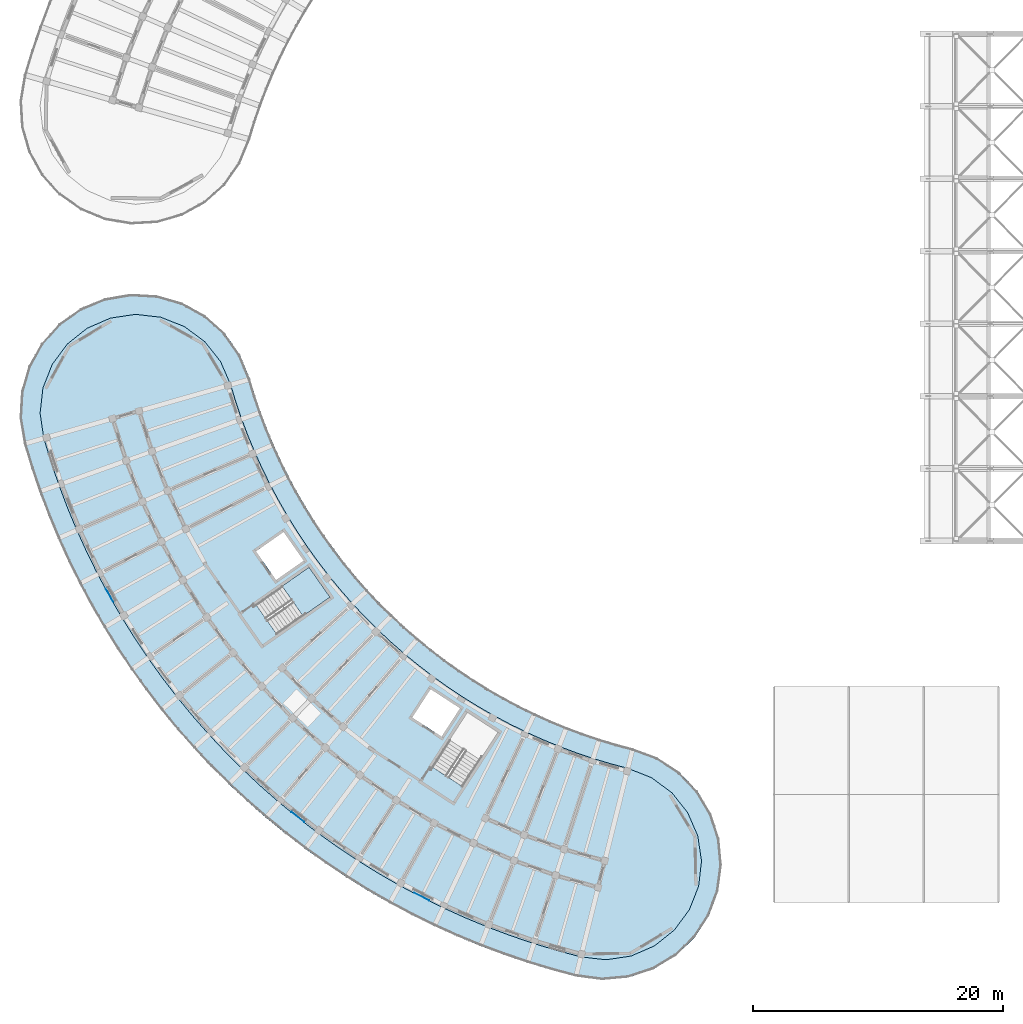
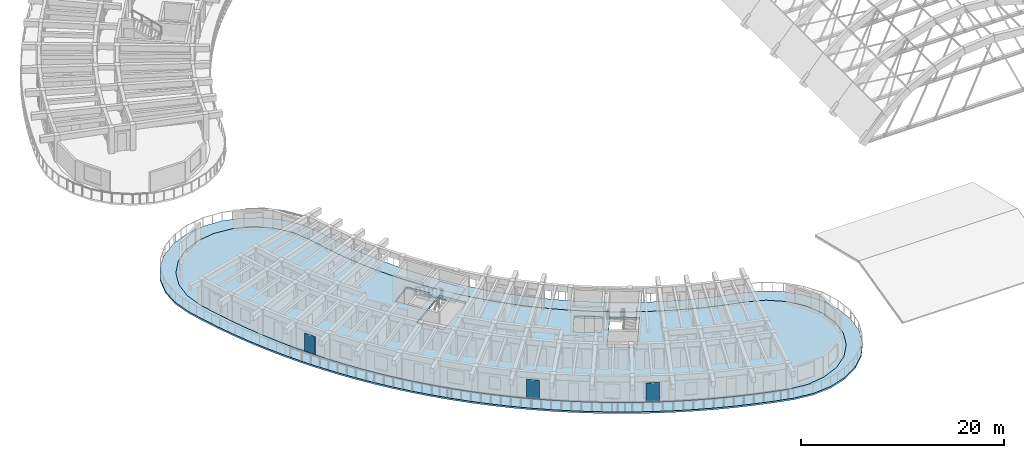
# One storey, part 23 of 81: 3 plates, 3 slabs, 1 element without a shape of its own.
"""IFC4 building model written with IfcOpenShell, lengths in metres."""

from ifc_helpers import new_model, si_unit, direction, frame, origin, origin_2d, place, context, subcontext, project, spatial, polyline, rectangle, outline, extrude, material, layer, layer_set, type_object, element, aggregate, save


model = new_model("IFC4")

# Units and contexts
model_context = context("Model", 3, precision=1e-05, world=origin(), true_north=direction((0.0, 1.0)))
body_context = subcontext(model_context, "Body", "Model", "MODEL_VIEW")
ifc_project = project(units=[si_unit("LENGTHUNIT", "METRE"), si_unit("AREAUNIT", "SQUARE_METRE"), si_unit("VOLUMEUNIT", "CUBIC_METRE"), si_unit("PLANEANGLEUNIT", "RADIAN"), si_unit("MASSUNIT", "GRAM", prefix="KILO")], contexts=[model_context])

# Site, building, storey
site_placement = place(None, origin())
site = spatial("IfcSite", under=ifc_project, at=site_placement, CompositionType="ELEMENT")
building_placement = place(site_placement, origin())
building = spatial("IfcBuilding", under=site, at=building_placement, Name="Tanwirah Colonnade Gardens", CompositionType="ELEMENT")
storey_placement = place(building_placement, frame((0.0, 0.0, 8.840087890625)))
storey = spatial("IfcBuildingStorey", under=building, at=storey_placement, Name="L02", CompositionType="ELEMENT", Elevation=8.840087890625)

# Plates
ifc_material_1 = material(Name="Laser-cut bronze aluminium solar screen plate", Category="aluminium")
ifc_layer_1 = layer(ifc_material_1, 0.01611328125)
ifc_layer_set_1 = layer_set([ifc_layer_1], Name="Laser-cut bronze aluminium solar screen plate")
plate_type = type_object("IfcPlateType", Name="PLT-SCR16", PredefinedType="SHEET", material=ifc_layer_set_1)
plate_1_placement = place(storey_placement, frame((12.79541015625, 35.465087890625, 0.0), z_axis=(0.0, 0.0, 1.0), x_axis=(0.486717384336, -0.873559492985, 0.0)))
element("IfcPlate", 1, at=plate_1_placement, inside=storey, type_object=plate_type, Name="Perforated solar screen plate C-L02-03", PredefinedType="SHEET", context=body_context, shape_type="SweptSolid", body=[
    extrude(rectangle(XDim=1.199951171875, YDim=0.01611328125, at=origin_2d()), origin(), (0.0, 0.0, 1.0), 2.159912109375),
])
plate_2_placement = place(storey_placement, frame((27.880615234375, 17.697265625, 0.0), z_axis=(0.0, 0.0, 1.0), x_axis=(0.783964634348, -0.620805486519, 0.0)))
element("IfcPlate", 2, at=plate_2_placement, inside=storey, type_object=plate_type, Name="Perforated solar screen plate C-L02-09", PredefinedType="SHEET", context=body_context, shape_type="SweptSolid", body=[
    extrude(rectangle(XDim=1.300048828125, YDim=0.01611328125, at=origin_2d()), origin(), (0.0, 0.0, 1.0), 2.25),
])
plate_3_placement = place(storey_placement, frame((37.8046875, 11.31396484375, 0.0), z_axis=(0.0, 0.0, 1.0), x_axis=(0.890014924435, -0.455931392078, 0.0)))
element("IfcPlate", 3, at=plate_3_placement, inside=storey, type_object=plate_type, Name="Perforated solar screen plate C-L02-12", PredefinedType="SHEET", context=body_context, shape_type="SweptSolid", body=[
    extrude(rectangle(XDim=1.35009765625, YDim=0.01611328125, at=origin_2d()), origin(), (0.0, 0.0, 1.0), 2.300048828125),
])

# Slab
ifc_material_2 = material(Name="White architectural precast concrete C40/50", Category="concrete")
ifc_layer_2 = layer(ifc_material_2, 0.199951171875)
ifc_layer_set_2 = layer_set([ifc_layer_2], Name="White architectural precast concrete C40/50")
slab_type_1 = type_object("IfcSlabType", Name="SL-BAL-200", PredefinedType="FLOOR", material=ifc_layer_set_2)
slab_1_placement = place(storey_placement, frame((0.0, 0.0, -0.2001953125)))
element("IfcSlab", 4, at=slab_1_placement, inside=storey, type_object=slab_type_1, Name="Block C L02 Continuous White Balcony Ribbon", PredefinedType="FLOOR", context=body_context, shape_type="SweptSolid", body=[
    extrude(outline(polyline([(23.2470703125, 54.70361328125), (22.03125, 56.421875), (20.46337890625, 57.826416015625), (18.62255859375, 58.846923828125), (16.6005859375, 59.43212890625), (14.4990234375, 59.552734375), (12.42333984375, 59.20263671875), (10.477783203125, 58.399658203125), (8.759521484375, 57.18359375), (7.35498046875, 55.615966796875), (6.33447265625, 53.77490234375), (5.749267578125, 51.7529296875), (5.62841796875, 49.651611328125), (5.978515625, 47.575927734375), (6.56396484375, 45.65380859375), (7.2119140625, 43.751953125), (7.921630859375, 41.872314453125), (8.692626953125, 40.016845703125), (9.523681640625, 38.1875), (10.414306640625, 36.386474609375), (11.363525390625, 34.61572265625), (12.369873046875, 32.876708984375), (13.432861328125, 31.171630859375), (14.55078125, 29.502197265625), (15.722900390625, 27.870361328125), (16.94775390625, 26.277587890625), (18.22412109375, 24.725830078125), (19.550537109375, 23.216796875), (20.92578125, 21.751708984375), (22.347900390625, 20.33251953125), (23.81591796875, 18.960693359375), (25.327880859375, 17.637451171875), (26.882568359375, 16.364501953125), (28.477783203125, 15.143310546875), (30.1123046875, 13.974609375), (31.7841796875, 12.860107421875), (33.491455078125, 11.801025390625), (35.232666015625, 10.79833984375), (37.005615234375, 9.85302734375), (38.80859375, 8.966552734375), (40.6396484375, 8.13916015625), (42.496826171875, 7.372314453125), (44.3779296875, 6.666748046875), (46.28125, 6.02294921875), (48.20458984375, 5.441650390625), (50.14599609375, 4.923828125), (52.232666015625, 4.646484375), (54.32861328125, 4.84033203125), (56.328857421875, 5.495849609375), (58.133056640625, 6.580078125), (59.65087890625, 8.038330078125), (60.80615234375, 9.798095703125), (61.540771484375, 11.7705078125), (61.818115234375, 13.857177734375), (61.624267578125, 15.953125), (60.96875, 17.953369140625), (59.884765625, 19.757568359375), (58.42626953125, 21.275390625), (56.666748046875, 22.4306640625), (54.694091796875, 23.165283203125), (53.34716796875, 23.524658203125), (52.0126953125, 23.927978515625), (50.692138671875, 24.37451171875), (49.386962890625, 24.8642578125), (48.0986328125, 25.396240234375), (46.828125, 25.97021484375), (45.5771484375, 26.58544921875), (44.34716796875, 27.2412109375), (43.13916015625, 27.93701171875), (41.95458984375, 28.671630859375), (40.794677734375, 29.445068359375), (39.66064453125, 30.255615234375), (38.5537109375, 31.10302734375), (37.47509765625, 31.986328125), (36.426025390625, 32.904296875), (35.407470703125, 33.856201171875), (34.420654296875, 34.8408203125), (33.466796875, 35.857177734375), (32.54638671875, 36.904296875), (31.660888671875, 37.98095703125), (30.81103515625, 39.0859375), (29.997802734375, 40.218017578125), (29.22216796875, 41.37646484375), (28.484619140625, 42.559326171875), (27.786376953125, 43.765869140625), (27.1279296875, 44.99462890625), (26.510009765625, 46.244140625), (25.933349609375, 47.51318359375), (25.3984375, 48.800537109375), (24.906005859375, 50.104736328125), (24.456298828125, 51.42431640625), (24.05029296875, 52.7578125), (23.2470703125, 54.70361328125)]), holes=[polyline([(21.68310546875, 54.173828125), (22.493408203125, 52.309814453125), (22.91455078125, 50.92724609375), (22.91455078125, 50.9267578125), (23.381103515625, 49.5576171875), (23.38134765625, 49.55712890625), (23.892333984375, 48.203857421875), (23.892578125, 48.203369140625), (24.447509765625, 46.86767578125), (24.44775390625, 46.866943359375), (25.046142578125, 45.55029296875), (25.04638671875, 45.549560546875), (25.6875, 44.253173828125), (25.687744140625, 44.25244140625), (26.37109375, 42.977783203125), (26.371337890625, 42.97705078125), (27.095947265625, 41.725341796875), (27.09619140625, 41.724853515625), (27.861328125, 40.497314453125), (27.86181640625, 40.496826171875), (28.66650390625, 39.294921875), (28.6669921875, 39.29443359375), (29.5107421875, 38.11962890625), (29.51123046875, 38.119140625), (30.392822265625, 36.97265625), (30.393310546875, 36.97216796875), (31.31201171875, 35.85498046875), (31.3125, 35.8544921875), (32.267333984375, 34.76806640625), (32.267822265625, 34.767578125), (33.257568359375, 33.713134765625), (33.258056640625, 33.712646484375), (34.281982421875, 32.69091796875), (34.282470703125, 32.690673828125), (35.339111328125, 31.702880859375), (35.339599609375, 31.70263671875), (36.42822265625, 30.75), (36.4287109375, 30.749755859375), (37.547607421875, 29.833251953125), (37.54833984375, 29.8330078125), (38.69677734375, 28.95361328125), (38.697265625, 28.953369140625), (39.873779296875, 28.112060546875), (39.874267578125, 28.111572265625), (41.077880859375, 27.309326171875), (41.078369140625, 27.30908203125), (42.307373046875, 26.546630859375), (42.30810546875, 26.54638671875), (43.5615234375, 25.824462890625), (43.56201171875, 25.82421875), (44.83837890625, 25.143798828125), (44.8388671875, 25.1435546875), (46.13671875, 24.505126953125), (46.137451171875, 24.5048828125), (47.45556640625, 23.909423828125), (47.4560546875, 23.9091796875), (48.79296875, 23.357177734375), (48.793701171875, 23.35693359375), (50.14794921875, 22.848876953125), (50.1484375, 22.8486328125), (51.5185546875, 22.38525390625), (51.519287109375, 22.385009765625), (52.90380859375, 21.966552734375), (52.904296875, 21.966552734375), (54.30078125, 21.593994140625), (56.19189453125, 20.84912109375), (57.824462890625, 19.640869140625), (59.088623046875, 18.051513671875), (59.8984375, 16.18896484375), (60.19873046875, 14.180419921875), (59.96875, 12.16259765625), (59.224365234375, 10.27294921875), (58.016357421875, 8.640380859375), (56.427001953125, 7.3759765625), (54.564453125, 6.566162109375), (52.555908203125, 6.265869140625), (50.536865234375, 6.49609375), (48.647705078125, 7.0), (46.775146484375, 7.565673828125), (44.922119140625, 8.192626953125), (43.090576171875, 8.879638671875), (41.282470703125, 9.626220703125), (39.499755859375, 10.431640625), (37.744384765625, 11.294921875), (36.01806640625, 12.21533203125), (34.322998046875, 13.19140625), (32.66064453125, 14.22265625), (31.03271484375, 15.3076171875), (29.44140625, 16.445556640625), (27.88818359375, 17.634521484375), (26.374755859375, 18.8740234375), (24.902587890625, 20.162109375), (23.473388671875, 21.497802734375), (22.088623046875, 22.879638671875), (20.749755859375, 24.305908203125), (19.458251953125, 25.775146484375), (18.215576171875, 27.2861328125), (17.023193359375, 28.836669921875), (15.8818359375, 30.425537109375), (14.79345703125, 32.051025390625), (13.758544921875, 33.7109375), (12.778564453125, 35.404052734375), (11.8544921875, 37.12841796875), (10.987548828125, 38.8818359375), (10.17822265625, 40.662841796875), (9.427490234375, 42.46923828125), (8.736572265625, 44.29931640625), (8.105712890625, 46.151123046875), (7.5361328125, 48.021240234375), (7.23583984375, 50.031005859375), (7.465576171875, 52.049072265625), (8.2099609375, 53.9384765625), (9.41796875, 55.5712890625), (11.007568359375, 56.83544921875), (12.869873046875, 57.645263671875), (14.878662109375, 57.945556640625), (16.896484375, 57.715576171875), (18.7861328125, 56.97119140625), (20.418701171875, 55.76318359375), (21.68310546875, 54.173828125)])]), origin(), (0.0, 0.0, 1.0), 0.2001953125),
])

# Stair, slab
ifc_material_3 = material(Name="Precast concrete C40/50", Category="concrete")
stair_type = type_object("IfcStairType", Name="ST-RES168", PredefinedType="HALF_TURN_STAIR", material=ifc_material_3)
stair_placement = place(storey_placement, origin())
stair = element("IfcStair", 5, at=stair_placement, inside=storey, type_object=stair_type, Name="L02 Block C Core 1 Exit Stair", PredefinedType="HALF_TURN_STAIR")
ifc_layer_3 = layer(ifc_material_3, 0.205078125)
ifc_layer_set_3 = layer_set([ifc_layer_3], Name="Precast concrete C40/50")
slab_type_2 = type_object("IfcSlabType", Name="SL-LND-205", PredefinedType="LANDING", material=ifc_layer_set_3)
slab_2_placement = place(storey_placement, frame((0.0, 0.0, 1.474853515625)))
slab_2 = element("IfcSlab", 6, at=slab_2_placement, type_object=slab_type_2, Name="ST-C1 landing 1", PredefinedType="LANDING", context=body_context, shape_type="SweptSolid", body=[
    extrude(outline(polyline([(28.290283203125, 33.79052734375), (30.448974609375, 35.3017578125), (28.77392578125, 37.69384765625), (26.615478515625, 36.182373046875), (28.290283203125, 33.79052734375)])), origin(), (0.0, 0.0, 1.0), 0.205078125),
])
aggregate(stair, [slab_2])

# Slab
ifc_layer_4 = layer(ifc_material_3, 0.2548828125)
ifc_layer_set_4 = layer_set([ifc_layer_4], Name="Precast concrete C40/50")
slab_type_3 = type_object("IfcSlabType", Name="SL-RES-255", PredefinedType="FLOOR", material=ifc_layer_set_4)
slab_3_placement = place(storey_placement, frame((0.0, 0.0, -0.255126953125)))
element("IfcSlab", 7, at=slab_3_placement, inside=storey, type_object=slab_type_3, Name="Block C L02 Precast Composite Floor Slab", PredefinedType="FLOOR", context=body_context, shape_type="SweptSolid", body=[
    extrude(outline(polyline([(23.39990234375, 49.56396484375), (22.93359375, 50.93310546875), (22.51220703125, 52.31689453125), (21.7001953125, 54.18408203125), (20.4326171875, 55.777587890625), (18.7958984375, 56.98876953125), (16.9013671875, 57.735107421875), (14.878173828125, 57.965576171875), (12.864501953125, 57.664794921875), (10.9970703125, 56.852783203125), (9.403564453125, 55.585205078125), (8.1923828125, 53.948486328125), (7.446044921875, 52.053955078125), (7.215576171875, 50.03076171875), (7.5166015625, 48.016845703125), (8.086669921875, 46.14501953125), (8.7177734375, 44.29248046875), (9.408935546875, 42.4619140625), (10.159912109375, 40.65478515625), (10.969482421875, 38.873291015625), (11.836669921875, 37.119140625), (12.76123046875, 35.394287109375), (13.741455078125, 33.70068359375), (14.776611328125, 32.0400390625), (15.865478515625, 30.414306640625), (17.007080078125, 28.82470703125), (18.199951171875, 27.273681640625), (19.443115234375, 25.76220703125), (20.73486328125, 24.29248046875), (22.07421875, 22.86572265625), (23.45947265625, 21.4833984375), (24.88916015625, 20.1474609375), (26.36181640625, 18.858642578125), (27.875732421875, 17.618896484375), (29.4296875, 16.429443359375), (31.021484375, 15.291259765625), (32.649658203125, 14.205810546875), (34.312744140625, 13.17431640625), (36.00830078125, 12.19775390625), (37.735107421875, 11.277099609375), (39.4912109375, 10.41357421875), (41.2744140625, 9.60791015625), (43.083251953125, 8.861083984375), (44.91552734375, 8.173828125), (46.76904296875, 7.546630859375), (48.642333984375, 6.980712890625), (50.532958984375, 6.476318359375), (52.55615234375, 6.245849609375), (54.570068359375, 6.546875), (56.437255859375, 7.358642578125), (58.031005859375, 8.626220703125), (59.2421875, 10.26318359375), (59.98828125, 12.15771484375), (60.218994140625, 14.1806640625), (59.91796875, 16.194580078125), (59.10595703125, 18.06201171875), (57.83837890625, 19.655517578125), (56.20166015625, 20.86669921875), (54.30712890625, 21.613037109375), (52.90966796875, 21.98583984375), (51.52490234375, 22.404052734375), (50.15478515625, 22.867431640625), (48.800537109375, 23.37548828125), (47.4638671875, 23.927490234375), (46.145751953125, 24.523193359375), (44.84765625, 25.161376953125), (43.571533203125, 25.841796875), (42.318115234375, 26.563720703125), (41.0888671875, 27.326171875), (39.885498046875, 28.12841796875), (38.708740234375, 28.969482421875), (37.560302734375, 29.848876953125), (36.44140625, 30.76513671875), (35.352783203125, 31.717529296875), (34.296142578125, 32.705078125), (33.272216796875, 33.726806640625), (32.282470703125, 34.781494140625), (31.327392578125, 35.86767578125), (30.40869140625, 36.98486328125), (29.52685546875, 38.13134765625), (28.68310546875, 39.30615234375), (27.87841796875, 40.5078125), (27.11328125, 41.7353515625), (26.388671875, 42.987060546875), (25.705322265625, 44.261962890625), (25.064208984375, 45.55859375), (24.466064453125, 46.875244140625), (23.910888671875, 48.2109375), (23.39990234375, 49.56396484375)]), holes=[polyline([(24.5185546875, 34.71044921875), (28.775634765625, 37.69140625), (30.447021484375, 35.30419921875), (26.18994140625, 32.323486328125), (24.5185546875, 34.71044921875)]), polyline([(26.737060546875, 40.515869140625), (28.343017578125, 38.22216796875), (26.13134765625, 36.673583984375), (24.525390625, 38.967041015625), (26.737060546875, 40.515869140625)]), polyline([(43.900146484375, 24.486572265625), (41.069580078125, 20.1279296875), (38.625732421875, 21.715087890625), (41.4560546875, 26.073486328125), (43.900146484375, 24.486572265625)]), polyline([(39.385498046875, 24.13916015625), (37.037353515625, 25.664306640625), (38.5078125, 27.9287109375), (40.856201171875, 26.403564453125), (39.385498046875, 24.13916015625)])]), origin(), (0.0, 0.0, 1.0), 0.255126953125),
])

save(model, "model.ifc")
